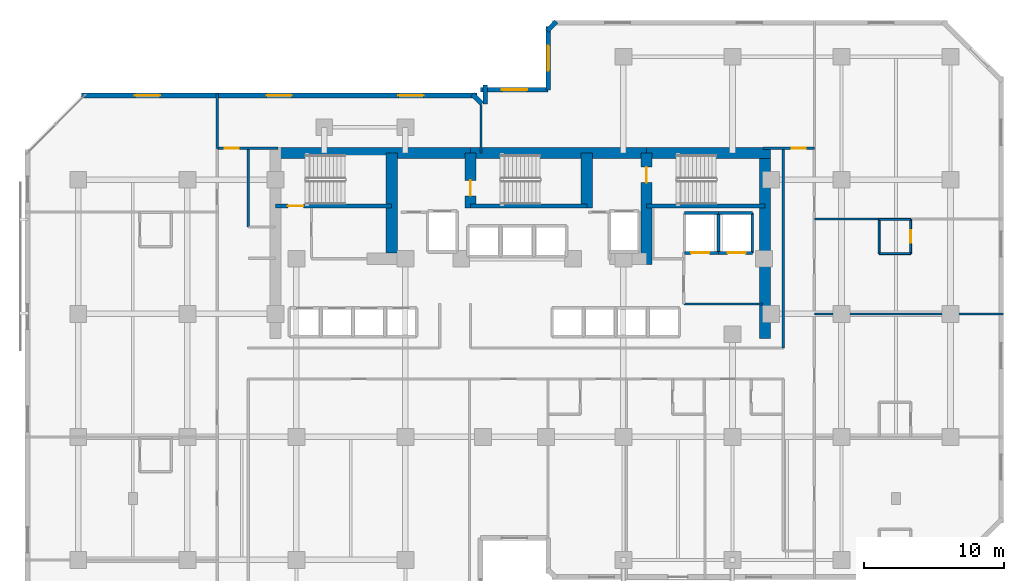
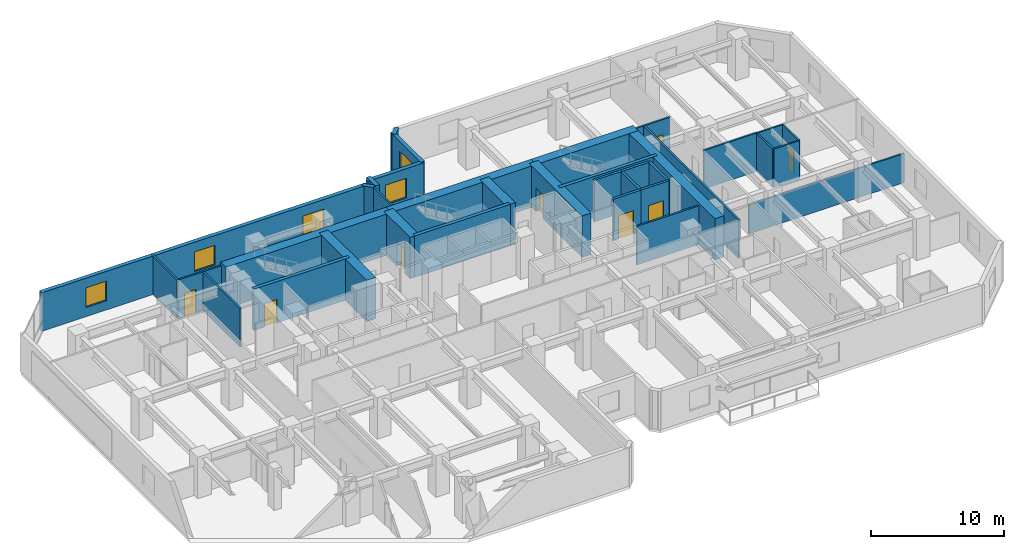
# One storey, part 9 of 12: 36 walls, 8 doors, 5 windows, 13 openings.
"""IFC4 building model written with IfcOpenShell, lengths in metres."""

from ifc_helpers import new_model, si_unit, direction, frame, frame_2d, origin, place, context, subcontext, project, spatial, rectangle, extrude, material, layer, layer_set, type_object, element, fill, save


model = new_model("IFC4")

# Units and contexts
model_context = context("Model", 3, precision=1e-05, world=origin(), true_north=direction((0.0, 1.0)))
body_context = subcontext(model_context, "Body", "Model", "MODEL_VIEW")
ifc_project = project(units=[si_unit("LENGTHUNIT", "METRE"), si_unit("AREAUNIT", "SQUARE_METRE"), si_unit("VOLUMEUNIT", "CUBIC_METRE"), si_unit("PLANEANGLEUNIT", "RADIAN"), si_unit("MASSUNIT", "GRAM", prefix="KILO")], contexts=[model_context])

# Site, building, storey
site_placement = place(None, origin())
site = spatial("IfcSite", under=ifc_project, at=site_placement, CompositionType="ELEMENT")
building_placement = place(site_placement, origin())
building = spatial("IfcBuilding", under=site, at=building_placement, Name="Kestravale Grand Hotel", CompositionType="ELEMENT")
storey_placement = place(building_placement, frame((0.0, 0.0, 110.800048828125)))
storey = spatial("IfcBuildingStorey", under=building, at=storey_placement, Name="L27", CompositionType="ELEMENT", Elevation=110.800048828125)

# Walls
ifc_material_1 = material(Name="Concrete f'c 60 MPa", Category="concrete")
ifc_layer_1 = layer(ifc_material_1, 0.800048828125)
ifc_layer_set_1 = layer_set([ifc_layer_1], Name="EW-CORE-800")
wall_type_1 = type_object("IfcWallType", Name="EW-CORE-800", PredefinedType="SHEAR", material=ifc_layer_set_1)
wall_1_placement = place(storey_placement, frame((21.5, 40.320068359375, 0.0), z_axis=(0.0, 0.0, 1.0), x_axis=(1.0, 0.0, 0.0)))
element("IfcWall", 1, at=wall_1_placement, inside=storey, type_object=wall_type_1, Name="L27 core shear wall N1", PredefinedType="SHEAR", context=body_context, shape_type="SweptSolid", body=[
    extrude(rectangle(XDim=14.35009765625, YDim=0.800048828125, at=frame_2d((7.175048828125, 0.0))), origin(), (0.0, 0.0, 1.0), 3.800048828125),
])
wall_2_placement = place(storey_placement, frame((35.85009765625, 40.320068359375, 0.0), z_axis=(0.0, 0.0, 1.0), x_axis=(1.0, 0.0, 0.0)))
element("IfcWall", 2, at=wall_2_placement, inside=storey, type_object=wall_type_1, Name="L27 core shear wall N2", PredefinedType="SHEAR", context=body_context, shape_type="SweptSolid", body=[
    extrude(rectangle(XDim=12.599853515625, YDim=0.800048828125, at=frame_2d((6.2998046875, 0.0))), origin(), (0.0, 0.0, 1.0), 3.800048828125),
])
wall_3_placement = place(storey_placement, frame((48.449951171875, 40.320068359375, 0.0), z_axis=(0.0, 0.0, 1.0), x_axis=(1.0, 0.0, 0.0)))
element("IfcWall", 3, at=wall_3_placement, inside=storey, type_object=wall_type_1, Name="L27 core shear wall N3", PredefinedType="SHEAR", context=body_context, shape_type="SweptSolid", body=[
    extrude(rectangle(XDim=8.8701171875, YDim=0.800048828125, at=frame_2d((4.43505859375, 0.0))), origin(), (0.0, 0.0, 1.0), 3.800048828125),
])
wall_4_placement = place(storey_placement, frame((56.919921875, 27.050048828125, 0.0), z_axis=(0.0, 0.0, 1.0), x_axis=(0.0, 1.0, 0.0)))
element("IfcWall", 4, at=wall_4_placement, inside=storey, type_object=wall_type_1, Name="L27 core shear wall E1", PredefinedType="SHEAR", context=body_context, shape_type="SweptSolid", body=[
    extrude(rectangle(XDim=13.669921875, YDim=0.800048828125, at=frame_2d((6.8349609375, 0.0))), origin(), (0.0, 0.0, 1.0), 3.800048828125),
])
wall_5_placement = place(storey_placement, frame((30.219970703125, 33.14990234375, 0.0), z_axis=(0.0, 0.0, 1.0), x_axis=(0.0, 1.0, 0.0)))
element("IfcWall", 5, at=wall_5_placement, inside=storey, type_object=wall_type_1, Name="L27 core shear wall X1", PredefinedType="SHEAR", context=body_context, shape_type="SweptSolid", body=[
    extrude(rectangle(XDim=7.170166015625, YDim=0.800048828125, at=frame_2d((3.5849609375, 0.0))), origin(), (0.0, 0.0, 1.0), 3.800048828125),
])

# Wall, opening, door
wall_6_placement = place(storey_placement, frame((35.85009765625, 36.3701171875, 0.0), z_axis=(0.0, 0.0, 1.0), x_axis=(0.0, 1.0, 0.0)))
wall_6 = element("IfcWall", 6, at=wall_6_placement, inside=storey, type_object=wall_type_1, Name="L27 core shear wall X2", PredefinedType="SHEAR", context=body_context, shape_type="SweptSolid", body=[
    extrude(rectangle(XDim=3.949951171875, YDim=0.800048828125, at=frame_2d((1.97509765625, 0.0))), origin(), (0.0, 0.0, 1.0), 3.800048828125),
])
opening_1_placement = place(wall_6_placement, frame((0.8798828125, 0.0, 0.0)))
opening_1 = element("IfcOpeningElement", 7, at=opening_1_placement, cuts=wall_6, Name="Opening D-ST-1100", PredefinedType="OPENING", context=body_context, shape_type="SweptSolid", body=[
    extrude(rectangle(XDim=1.10009765625, YDim=2.14990234375, at=frame_2d((0.550048828125, 1.074951171875))), frame((0.0, 0.409912109375, 0.0), z_axis=(0.0, -1.0, 0.0), x_axis=(1.0, 0.0, 0.0)), (0.0, 0.0, 1.0), 0.820068359375),
])
ifc_material_2 = material(Name="Galvanised 90-minute fire-rated steel stair door", Category="steel")
door_type_1 = type_object("IfcDoorType", Name="D-ST-1100", OperationType="NOTDEFINED", PredefinedType="DOOR", material=ifc_material_2)
door_1_placement = place(opening_1_placement, origin())
door_1 = element("IfcDoor", 8, at=door_1_placement, inside=storey, type_object=door_type_1, Name="L27 Stair ST-2 FSAE fire door", OperationType="SINGLE_SWING_RIGHT", OverallHeight=2.14990234375, OverallWidth=1.10009765625, PredefinedType="DOOR", context=body_context, shape_type="SweptSolid", body=[
    extrude(rectangle(XDim=1.10009765625, YDim=2.14990234375, at=frame_2d((0.550048828125, 1.074951171875))), frame((0.0, 0.02490234375, 0.0), z_axis=(0.0, -1.0, 0.0), x_axis=(1.0, 0.0, 0.0)), (0.0, 0.0, 1.0), 0.050048828125),
])
fill(opening_1, door_1)

# Wall
wall_7_placement = place(storey_placement, frame((44.179931640625, 36.3701171875, 0.0), z_axis=(0.0, 0.0, 1.0), x_axis=(0.0, 1.0, 0.0)))
element("IfcWall", 9, at=wall_7_placement, inside=storey, type_object=wall_type_1, Name="L27 core shear wall X3", PredefinedType="SHEAR", context=body_context, shape_type="SweptSolid", body=[
    extrude(rectangle(XDim=3.949951171875, YDim=0.800048828125, at=frame_2d((1.97509765625, 0.0))), origin(), (0.0, 0.0, 1.0), 3.800048828125),
])

# Wall, opening, door
wall_8_placement = place(storey_placement, frame((48.449951171875, 32.35009765625, 0.0), z_axis=(0.0, 0.0, 1.0), x_axis=(0.0, 1.0, 0.0)))
wall_8 = element("IfcWall", 10, at=wall_8_placement, inside=storey, type_object=wall_type_1, Name="L27 core shear wall X4", PredefinedType="SHEAR", context=body_context, shape_type="SweptSolid", body=[
    extrude(rectangle(XDim=7.969970703125, YDim=0.800048828125, at=frame_2d((3.98486328125, 0.0))), origin(), (0.0, 0.0, 1.0), 3.800048828125),
])
opening_2_placement = place(wall_8_placement, frame((5.85009765625, 0.0, 0.0)))
opening_2 = element("IfcOpeningElement", 11, at=opening_2_placement, cuts=wall_8, Name="Opening D-ST-1100", PredefinedType="OPENING", context=body_context, shape_type="SweptSolid", body=[
    extrude(rectangle(XDim=1.10009765625, YDim=2.14990234375, at=frame_2d((0.550048828125, 1.074951171875))), frame((0.0, 0.409912109375, 0.0), z_axis=(0.0, -1.0, 0.0), x_axis=(1.0, 0.0, 0.0)), (0.0, 0.0, 1.0), 0.820068359375),
])
door_2_placement = place(opening_2_placement, origin())
door_2 = element("IfcDoor", 12, at=door_2_placement, inside=storey, type_object=door_type_1, Name="L27 Stair ST-3 FSAE fire door", OperationType="SINGLE_SWING_RIGHT", OverallHeight=2.14990234375, OverallWidth=1.10009765625, PredefinedType="DOOR", context=body_context, shape_type="SweptSolid", body=[
    extrude(rectangle(XDim=1.10009765625, YDim=2.14990234375, at=frame_2d((0.550048828125, 1.074951171875))), frame((0.0, 0.02490234375, 0.0), z_axis=(0.0, -1.0, 0.0), x_axis=(1.0, 0.0, 0.0)), (0.0, 0.0, 1.0), 0.050048828125),
])
fill(opening_2, door_2)

# Wall
ifc_material_3 = material(Name="Precast concrete f'c 45 MPa", Category="concrete")
ifc_layer_2 = layer(ifc_material_3, 0.340087890625)
ifc_layer_set_2 = layer_set([ifc_layer_2], Name="EW-PREC-340")
wall_type_2 = type_object("IfcWallType", Name="EW-PREC-340", PredefinedType="SOLIDWALL", material=ifc_layer_set_2)
wall_9_placement = place(storey_placement, frame((41.99853515625, 49.7080078125, 0.0), z_axis=(0.0, 0.0, 1.0), x_axis=(-0.707238225886, -0.706975312048, 0.0)))
element("IfcWall", 13, at=wall_9_placement, inside=storey, type_object=wall_type_2, Name="L27 fluted precast facade wall 12", PredefinedType="SOLIDWALL", context=body_context, shape_type="SweptSolid", body=[
    extrude(rectangle(XDim=0.9287109375, YDim=0.340087890625, at=frame_2d((0.46435546875, 0.0))), origin(), (0.0, 0.0, 1.0), 3.5400390625),
])

# Wall, opening, window
wall_10_placement = place(storey_placement, frame((41.419921875, 49.3701171875, 0.0), z_axis=(0.0, 0.0, 1.0), x_axis=(0.0, -1.0, 0.0)))
wall_10 = element("IfcWall", 14, at=wall_10_placement, inside=storey, type_object=wall_type_2, Name="L27 fluted precast facade wall 13", PredefinedType="SOLIDWALL", context=body_context, shape_type="SweptSolid", body=[
    extrude(rectangle(XDim=4.5400390625, YDim=0.340087890625, at=frame_2d((2.27001953125, 0.0))), origin(), (0.0, 0.0, 1.0), 3.5400390625),
])
opening_3_placement = place(wall_10_placement, frame((1.3701171875, 0.0, 0.85009765625)))
opening_3 = element("IfcOpeningElement", 15, at=opening_3_placement, cuts=wall_10, Name="Opening W-GUEST-1800", PredefinedType="OPENING", context=body_context, shape_type="SweptSolid", body=[
    extrude(rectangle(XDim=1.800048828125, YDim=1.800048828125, at=frame_2d((0.89990234375, 0.89990234375))), frame((0.0, 0.179931640625, 0.0), z_axis=(0.0, -1.0, 0.0), x_axis=(1.0, 0.0, 0.0)), (0.0, 0.0, 1.0), 0.360107421875),
])
ifc_material_4 = material(Name="Insulated low-E double glazing in aluminium frame", Category="aluminium")
window_type = type_object("IfcWindowType", Name="W-GUEST-1800", PartitioningType="DOUBLE_PANEL_VERTICAL", PredefinedType="WINDOW", material=ifc_material_4)
window_1_placement = place(opening_3_placement, origin())
window_1 = element("IfcWindow", 16, at=window_1_placement, inside=storey, type_object=window_type, Name="L27 exterior window 13.1", OverallHeight=1.800048828125, OverallWidth=1.800048828125, PartitioningType="SINGLE_PANEL", PredefinedType="WINDOW", context=body_context, shape_type="SweptSolid", body=[
    extrude(rectangle(XDim=1.800048828125, YDim=1.800048828125, at=frame_2d((0.89990234375, 0.89990234375))), frame((0.0, 0.030029296875, 0.0), z_axis=(0.0, -1.0, 0.0), x_axis=(1.0, 0.0, 0.0)), (0.0, 0.0, 1.0), 0.06005859375),
])
fill(opening_3, window_1)

wall_11_placement = place(storey_placement, frame((41.419921875, 44.830078125, 0.0), z_axis=(0.0, 0.0, 1.0), x_axis=(-1.0, 0.0, 0.0)))
wall_11 = element("IfcWall", 17, at=wall_11_placement, inside=storey, type_object=wall_type_2, Name="L27 fluted precast facade wall 14", PredefinedType="SOLIDWALL", context=body_context, shape_type="SweptSolid", body=[
    extrude(rectangle(XDim=4.83984375, YDim=0.340087890625, at=frame_2d((2.419921875, 0.0))), origin(), (0.0, 0.0, 1.0), 3.5400390625),
])
opening_4_placement = place(wall_11_placement, frame((1.52001953125, 0.0, 0.85009765625)))
opening_4 = element("IfcOpeningElement", 18, at=opening_4_placement, cuts=wall_11, Name="Opening W-GUEST-1800", PredefinedType="OPENING", context=body_context, shape_type="SweptSolid", body=[
    extrude(rectangle(XDim=1.800048828125, YDim=1.800048828125, at=frame_2d((0.89990234375, 0.89990234375))), frame((0.0, 0.179931640625, 0.0), z_axis=(0.0, -1.0, 0.0), x_axis=(1.0, 0.0, 0.0)), (0.0, 0.0, 1.0), 0.360107421875),
])
window_2_placement = place(opening_4_placement, origin())
window_2 = element("IfcWindow", 19, at=window_2_placement, inside=storey, type_object=window_type, Name="L27 exterior window 14.1", OverallHeight=1.800048828125, OverallWidth=1.800048828125, PartitioningType="SINGLE_PANEL", PredefinedType="WINDOW", context=body_context, shape_type="SweptSolid", body=[
    extrude(rectangle(XDim=1.800048828125, YDim=1.800048828125, at=frame_2d((0.89990234375, 0.89990234375))), frame((0.0, 0.030029296875, 0.0), z_axis=(0.0, -1.0, 0.0), x_axis=(1.0, 0.0, 0.0)), (0.0, 0.0, 1.0), 0.06005859375),
])
fill(opening_4, window_2)

# Walls
wall_12_placement = place(storey_placement, frame((36.919921875, 45.169921875, 0.0), z_axis=(0.0, 0.0, 1.0), x_axis=(0.0, -1.0, 0.0)))
element("IfcWall", 20, at=wall_12_placement, inside=storey, type_object=wall_type_2, Name="L27 fluted precast facade wall 15", PredefinedType="SOLIDWALL", context=body_context, shape_type="SweptSolid", body=[
    extrude(rectangle(XDim=1.33984375, YDim=0.340087890625, at=frame_2d((0.669921875, 0.0))), origin(), (0.0, 0.0, 1.0), 3.5400390625),
])
wall_13_placement = place(storey_placement, frame((36.658203125, 43.8515625, 0.0), z_axis=(0.0, 0.0, 1.0), x_axis=(-0.707238225886, 0.706975312048, 0.0)))
element("IfcWall", 21, at=wall_13_placement, inside=storey, type_object=wall_type_2, Name="L27 fluted precast facade wall 16", PredefinedType="SOLIDWALL", context=body_context, shape_type="SweptSolid", body=[
    extrude(rectangle(XDim=0.9287109375, YDim=0.340087890625, at=frame_2d((0.46435546875, 0.0))), origin(), (0.0, 0.0, 1.0), 3.5400390625),
])

# Wall, openings, windows
wall_14_placement = place(storey_placement, frame((36.320068359375, 44.429931640625, 0.0), z_axis=(0.0, 0.0, 1.0), x_axis=(-1.0, 0.0, 0.0)))
wall_14 = element("IfcWall", 22, at=wall_14_placement, inside=storey, type_object=wall_type_2, Name="L27 fluted precast facade wall 17", PredefinedType="SOLIDWALL", context=body_context, shape_type="SweptSolid", body=[
    extrude(rectangle(XDim=28.2900390625, YDim=0.340087890625, at=frame_2d((14.14501953125, 0.0))), origin(), (0.0, 0.0, 1.0), 3.5400390625),
])
opening_5_placement = place(wall_14_placement, frame((3.81494140625, 0.0, 0.85009765625)))
opening_5 = element("IfcOpeningElement", 23, at=opening_5_placement, cuts=wall_14, Name="Opening W-GUEST-1800", PredefinedType="OPENING", context=body_context, shape_type="SweptSolid", body=[
    extrude(rectangle(XDim=1.800048828125, YDim=1.800048828125, at=frame_2d((0.89990234375, 0.89990234375))), frame((0.0, 0.179931640625, 0.0), z_axis=(0.0, -1.0, 0.0), x_axis=(1.0, 0.0, 0.0)), (0.0, 0.0, 1.0), 0.360107421875),
])
opening_6_placement = place(wall_14_placement, frame((13.2451171875, 0.0, 0.85009765625)))
opening_6 = element("IfcOpeningElement", 24, at=opening_6_placement, cuts=wall_14, Name="Opening W-GUEST-1800", PredefinedType="OPENING", context=body_context, shape_type="SweptSolid", body=[
    extrude(rectangle(XDim=1.800048828125, YDim=1.800048828125, at=frame_2d((0.89990234375, 0.89990234375))), frame((0.0, 0.179931640625, 0.0), z_axis=(0.0, -1.0, 0.0), x_axis=(1.0, 0.0, 0.0)), (0.0, 0.0, 1.0), 0.360107421875),
])
opening_7_placement = place(wall_14_placement, frame((22.675048828125, 0.0, 0.85009765625)))
opening_7 = element("IfcOpeningElement", 25, at=opening_7_placement, cuts=wall_14, Name="Opening W-GUEST-1800", PredefinedType="OPENING", context=body_context, shape_type="SweptSolid", body=[
    extrude(rectangle(XDim=1.800048828125, YDim=1.800048828125, at=frame_2d((0.89990234375, 0.89990234375))), frame((0.0, 0.179931640625, 0.0), z_axis=(0.0, -1.0, 0.0), x_axis=(1.0, 0.0, 0.0)), (0.0, 0.0, 1.0), 0.360107421875),
])
window_3_placement = place(opening_5_placement, origin())
window_3 = element("IfcWindow", 26, at=window_3_placement, inside=storey, type_object=window_type, Name="L27 exterior window 17.1", OverallHeight=1.800048828125, OverallWidth=1.800048828125, PartitioningType="SINGLE_PANEL", PredefinedType="WINDOW", context=body_context, shape_type="SweptSolid", body=[
    extrude(rectangle(XDim=1.800048828125, YDim=1.800048828125, at=frame_2d((0.89990234375, 0.89990234375))), frame((0.0, 0.030029296875, 0.0), z_axis=(0.0, -1.0, 0.0), x_axis=(1.0, 0.0, 0.0)), (0.0, 0.0, 1.0), 0.06005859375),
])
fill(opening_5, window_3)
window_4_placement = place(opening_6_placement, origin())
window_4 = element("IfcWindow", 27, at=window_4_placement, inside=storey, type_object=window_type, Name="L27 exterior window 17.2", OverallHeight=1.800048828125, OverallWidth=1.800048828125, PartitioningType="SINGLE_PANEL", PredefinedType="WINDOW", context=body_context, shape_type="SweptSolid", body=[
    extrude(rectangle(XDim=1.800048828125, YDim=1.800048828125, at=frame_2d((0.89990234375, 0.89990234375))), frame((0.0, 0.030029296875, 0.0), z_axis=(0.0, -1.0, 0.0), x_axis=(1.0, 0.0, 0.0)), (0.0, 0.0, 1.0), 0.06005859375),
])
fill(opening_6, window_4)
window_5_placement = place(opening_7_placement, origin())
window_5 = element("IfcWindow", 28, at=window_5_placement, inside=storey, type_object=window_type, Name="L27 exterior window 17.3", OverallHeight=1.800048828125, OverallWidth=1.800048828125, PartitioningType="SINGLE_PANEL", PredefinedType="WINDOW", context=body_context, shape_type="SweptSolid", body=[
    extrude(rectangle(XDim=1.800048828125, YDim=1.800048828125, at=frame_2d((0.89990234375, 0.89990234375))), frame((0.0, 0.030029296875, 0.0), z_axis=(0.0, -1.0, 0.0), x_axis=(1.0, 0.0, 0.0)), (0.0, 0.0, 1.0), 0.06005859375),
])
fill(opening_7, window_5)

# Wall, opening, door
ifc_material_5 = material(Name="Concrete f'c 45 MPa", Category="concrete")
ifc_layer_3 = layer(ifc_material_5, 0.300048828125)
ifc_layer_set_3 = layer_set([ifc_layer_3], Name="EW-STAIR-300")
wall_type_3 = type_object("IfcWallType", Name="EW-STAIR-300", PredefinedType="SHEAR", material=ifc_layer_set_3)
wall_15_placement = place(storey_placement, frame((21.89990234375, 36.52001953125, 0.0), z_axis=(0.0, 0.0, 1.0), x_axis=(1.0, 0.0, 0.0)))
wall_15 = element("IfcWall", 29, at=wall_15_placement, inside=storey, type_object=wall_type_3, Name="L27 stair enclosure shear wall SST1", PredefinedType="SHEAR", context=body_context, shape_type="SweptSolid", body=[
    extrude(rectangle(XDim=8.320068359375, YDim=0.300048828125, at=frame_2d((4.16015625, 0.0))), origin(), (0.0, 0.0, 1.0), 3.800048828125),
])
opening_8_placement = place(wall_15_placement, frame((0.89990234375, 0.0, 0.0)))
opening_8 = element("IfcOpeningElement", 30, at=opening_8_placement, cuts=wall_15, Name="Opening D-ST-1100", PredefinedType="OPENING", context=body_context, shape_type="SweptSolid", body=[
    extrude(rectangle(XDim=1.10009765625, YDim=2.14990234375, at=frame_2d((0.550048828125, 1.074951171875))), frame((0.0, 0.159912109375, 0.0), z_axis=(0.0, -1.0, 0.0), x_axis=(1.0, 0.0, 0.0)), (0.0, 0.0, 1.0), 0.320068359375),
])
door_3_placement = place(opening_8_placement, origin())
door_3 = element("IfcDoor", 31, at=door_3_placement, inside=storey, type_object=door_type_1, Name="L27 Stair ST-1 fire door", OperationType="SINGLE_SWING_RIGHT", OverallHeight=2.14990234375, OverallWidth=1.10009765625, PredefinedType="DOOR", context=body_context, shape_type="SweptSolid", body=[
    extrude(rectangle(XDim=1.10009765625, YDim=2.14990234375, at=frame_2d((0.550048828125, 1.074951171875))), frame((0.0, 0.02490234375, 0.0), z_axis=(0.0, -1.0, 0.0), x_axis=(1.0, 0.0, 0.0)), (0.0, 0.0, 1.0), 0.050048828125),
])
fill(opening_8, door_3)

# Walls
wall_16_placement = place(storey_placement, frame((35.85009765625, 36.52001953125, 0.0), z_axis=(0.0, 0.0, 1.0), x_axis=(1.0, 0.0, 0.0)))
element("IfcWall", 32, at=wall_16_placement, inside=storey, type_object=wall_type_3, Name="L27 stair enclosure shear wall SST2", PredefinedType="SHEAR", context=body_context, shape_type="SweptSolid", body=[
    extrude(rectangle(XDim=8.329833984375, YDim=0.300048828125, at=frame_2d((4.1650390625, 0.0))), origin(), (0.0, 0.0, 1.0), 3.800048828125),
])
wall_17_placement = place(storey_placement, frame((48.449951171875, 36.52001953125, 0.0), z_axis=(0.0, 0.0, 1.0), x_axis=(1.0, 0.0, 0.0)))
element("IfcWall", 33, at=wall_17_placement, inside=storey, type_object=wall_type_3, Name="L27 stair enclosure shear wall SST3", PredefinedType="SHEAR", context=body_context, shape_type="SweptSolid", body=[
    extrude(rectangle(XDim=8.469970703125, YDim=0.300048828125, at=frame_2d((4.23486328125, 0.0))), origin(), (0.0, 0.0, 1.0), 3.800048828125),
])
ifc_material_6 = material(Name="Acoustic fire-rated gypsum board partition", Category="other")
ifc_layer_4 = layer(ifc_material_6, 0.159912109375)
ifc_layer_set_4 = layer_set([ifc_layer_4], Name="IW-CORR-160")
wall_type_4 = type_object("IfcWallType", Name="IW-CORR-160", PredefinedType="PARTITIONING", material=ifc_layer_set_4)
for number, where, z_axis, x_axis, name in (
    (34, (51.1201171875, 29.5, 0.0), (0.0, 0.0, 1.0), (1.0, 0.0, 0.0), "L27 service lift lobby wall"),
    (35, (19.9599609375, 35.02001953125, 0.0), (0.0, 0.0, 1.0), (0.0, 1.0, 0.0), "W-L27-SW-EN"),
):
    element("IfcWall", number, at=place(storey_placement, frame(where, z_axis=z_axis, x_axis=x_axis)), inside=storey, type_object=wall_type_4, Name=name, PredefinedType="PARTITIONING", context=body_context, shape_type="SweptSolid", body=[
        extrude(rectangle(XDim=5.6298828125, YDim=0.159912109375, at=frame_2d((2.81494140625, 0.0))), origin(), (0.0, 0.0, 1.0), 3.5400390625),
    ])
wall_18_placement = place(storey_placement, frame((58.239990234375, 26.360107421875, 0.0), z_axis=(0.0, 0.0, 1.0), x_axis=(0.0, 1.0, 0.0)))
element("IfcWall", 36, at=wall_18_placement, inside=storey, type_object=wall_type_4, Name="W-L27-SE-WU", PredefinedType="PARTITIONING", context=body_context, shape_type="SweptSolid", body=[
    extrude(rectangle(XDim=14.289794921875, YDim=0.159912109375, at=frame_2d((7.14501953125, 0.0))), origin(), (0.0, 0.0, 1.0), 3.5400390625),
])
ifc_material_7 = material(Name="Moisture-resistant tile-backer plumbing chase wall", Category="other")
ifc_layer_5 = layer(ifc_material_7, 0.139892578125)
ifc_layer_set_5 = layer_set([ifc_layer_5], Name="IW-PLB-140")
wall_type_5 = type_object("IfcWallType", Name="IW-PLB-140", PredefinedType="PLUMBINGWALL", material=ifc_layer_set_5)
wall_19_placement = place(storey_placement, frame((65.10009765625, 33.110107421875, 0.0), z_axis=(0.0, 0.0, 1.0), x_axis=(0.0, 1.0, 0.0)))
element("IfcWall", 37, at=wall_19_placement, inside=storey, type_object=wall_type_5, Name="W-L27-U09-BW", PredefinedType="PLUMBINGWALL", context=body_context, shape_type="SweptSolid", body=[
    extrude(rectangle(XDim=2.449951171875, YDim=0.139892578125, at=frame_2d((1.22509765625, 0.0))), origin(), (0.0, 0.0, 1.0), 3.5400390625),
])

# Wall, opening, door
wall_20_placement = place(storey_placement, frame((67.35009765625, 33.110107421875, 0.0), z_axis=(0.0, 0.0, 1.0), x_axis=(0.0, 1.0, 0.0)))
wall_20 = element("IfcWall", 38, at=wall_20_placement, inside=storey, type_object=wall_type_5, Name="W-L27-U09-BE", PredefinedType="PLUMBINGWALL", context=body_context, shape_type="SweptSolid", body=[
    extrude(rectangle(XDim=2.449951171875, YDim=0.139892578125, at=frame_2d((1.22509765625, 0.0))), origin(), (0.0, 0.0, 1.0), 3.5400390625),
])
opening_9_placement = place(wall_20_placement, frame((0.784912109375, 0.0, 0.0)))
opening_9 = element("IfcOpeningElement", 39, at=opening_9_placement, cuts=wall_20, Name="Opening D-BATH-880", PredefinedType="OPENING", context=body_context, shape_type="SweptSolid", body=[
    extrude(rectangle(XDim=0.8798828125, YDim=2.050048828125, at=frame_2d((0.43994140625, 1.02490234375))), frame((0.0, 0.079833984375, 0.0), z_axis=(0.0, -1.0, 0.0), x_axis=(1.0, 0.0, 0.0)), (0.0, 0.0, 1.0), 0.159912109375),
])
ifc_material_8 = material(Name="Moisture-sealed walnut en-suite bathroom door", Category="wood")
door_type_2 = type_object("IfcDoorType", Name="D-BATH-880", OperationType="NOTDEFINED", PredefinedType="DOOR", material=ifc_material_8)
door_4_placement = place(opening_9_placement, origin())
door_4 = element("IfcDoor", 40, at=door_4_placement, inside=storey, type_object=door_type_2, Name="D-L27-U09-BATH", OperationType="SINGLE_SWING_LEFT", OverallHeight=2.050048828125, OverallWidth=0.8798828125, PredefinedType="DOOR", context=body_context, shape_type="SweptSolid", body=[
    extrude(rectangle(XDim=0.8798828125, YDim=2.050048828125, at=frame_2d((0.43994140625, 1.02490234375))), frame((0.0, 0.02490234375, 0.0), z_axis=(0.0, -1.0, 0.0), x_axis=(1.0, 0.0, 0.0)), (0.0, 0.0, 1.0), 0.050048828125),
])
fill(opening_9, door_4)

# Walls
for number, where, z_axis, x_axis, name in (
    (41, (65.10009765625, 33.110107421875, 0.0), (0.0, 0.0, 1.0), (1.0, 0.0, 0.0), "W-L27-U09-BS"),
    (42, (65.10009765625, 35.56005859375, 0.0), (0.0, 0.0, 1.0), (1.0, 0.0, 0.0), "W-L27-U09-BN"),
):
    element("IfcWall", number, at=place(storey_placement, frame(where, z_axis=z_axis, x_axis=x_axis)), inside=storey, type_object=wall_type_5, Name=name, PredefinedType="PLUMBINGWALL", context=body_context, shape_type="SweptSolid", body=[
        extrude(rectangle(XDim=2.25, YDim=0.139892578125, at=frame_2d((1.125, 0.0))), origin(), (0.0, 0.0, 1.0), 3.5400390625),
    ])
ifc_material_9 = material(Name="Concrete f'c 45 MPa", Category="concrete")
ifc_layer_6 = layer(ifc_material_9, 0.199951171875)
ifc_layer_set_6 = layer_set([ifc_layer_6], Name="IW-SHAFT-200")
wall_type_6 = type_object("IfcWallType", Name="IW-SHAFT-200", PredefinedType="SHEAR", material=ifc_layer_set_6)
for number, where, z_axis, x_axis, name in (
    (43, (53.60009765625, 33.169921875, 0.0), (0.0, 0.0, 1.0), (0.0, 1.0, 0.0), "L27 SL-2 west shaft wall"),
    (44, (56.02001953125, 33.169921875, 0.0), (0.0, 0.0, 1.0), (0.0, 1.0, 0.0), "L27 SL-2 east shaft wall"),
):
    element("IfcWall", number, at=place(storey_placement, frame(where, z_axis=z_axis, x_axis=x_axis)), inside=storey, type_object=wall_type_6, Name=name, PredefinedType="SHEAR", context=body_context, shape_type="SweptSolid", body=[
        extrude(rectangle(XDim=2.860107421875, YDim=0.199951171875, at=frame_2d((1.43017578125, 0.0))), origin(), (0.0, 0.0, 1.0), 3.800048828125),
    ])
ifc_material_10 = material(Name="Concrete f'c 45 MPa", Category="concrete")
ifc_layer_7 = layer(ifc_material_10, 0.219970703125)
ifc_layer_set_7 = layer_set([ifc_layer_7], Name="IW-SHAFT-220")
wall_type_7 = type_object("IfcWallType", Name="IW-SHAFT-220", PredefinedType="SHEAR", material=ifc_layer_set_7)
wall_21_placement = place(storey_placement, frame((51.179931640625, 36.030029296875, 0.0), z_axis=(0.0, 0.0, 1.0), x_axis=(1.0, 0.0, 0.0)))
element("IfcWall", 45, at=wall_21_placement, inside=storey, type_object=wall_type_7, Name="L27 SL-1 north shaft wall", PredefinedType="SHEAR", context=body_context, shape_type="SweptSolid", body=[
    extrude(rectangle(XDim=2.420166015625, YDim=0.219970703125, at=frame_2d((1.2099609375, 0.0))), origin(), (0.0, 0.0, 1.0), 3.800048828125),
])

# Wall, opening, door
wall_22_placement = place(storey_placement, frame((51.179931640625, 33.169921875, 0.0), z_axis=(0.0, 0.0, 1.0), x_axis=(1.0, 0.0, 0.0)))
wall_22 = element("IfcWall", 46, at=wall_22_placement, inside=storey, type_object=wall_type_7, Name="L27 SL-1 south shaft wall", PredefinedType="SHEAR", context=body_context, shape_type="SweptSolid", body=[
    extrude(rectangle(XDim=2.420166015625, YDim=0.219970703125, at=frame_2d((1.2099609375, 0.0))), origin(), (0.0, 0.0, 1.0), 3.800048828125),
])
opening_10_placement = place(wall_22_placement, frame((0.469970703125, 0.0, 0.0)))
opening_10 = element("IfcOpeningElement", 47, at=opening_10_placement, cuts=wall_22, Name="Opening LD-SVC-1300", PredefinedType="OPENING", context=body_context, shape_type="SweptSolid", body=[
    extrude(rectangle(XDim=1.300048828125, YDim=2.14990234375, at=frame_2d((0.64990234375, 1.074951171875))), frame((0.0, 0.119873046875, 0.0), z_axis=(0.0, -1.0, 0.0), x_axis=(1.0, 0.0, 0.0)), (0.0, 0.0, 1.0), 0.239990234375),
])
ifc_material_11 = material(Name="Heavy-duty service sliding elevator landing door", Category="steel")
door_type_3 = type_object("IfcDoorType", Name="LD-SVC-1300", OperationType="NOTDEFINED", PredefinedType="DOOR", material=ifc_material_11)
door_5_placement = place(opening_10_placement, origin())
door_5 = element("IfcDoor", 48, at=door_5_placement, inside=storey, type_object=door_type_3, Name="L27 SL-1 elevator landing sliding door", OperationType="DOUBLE_DOOR_SLIDING", OverallHeight=2.14990234375, OverallWidth=1.300048828125, PredefinedType="DOOR", context=body_context, shape_type="SweptSolid", body=[
    extrude(rectangle(XDim=1.300048828125, YDim=2.14990234375, at=frame_2d((0.64990234375, 1.074951171875))), frame((0.0, 0.02490234375, 0.0), z_axis=(0.0, -1.0, 0.0), x_axis=(1.0, 0.0, 0.0)), (0.0, 0.0, 1.0), 0.050048828125),
])
fill(opening_10, door_5)

# Wall
wall_23_placement = place(storey_placement, frame((53.60009765625, 36.030029296875, 0.0), z_axis=(0.0, 0.0, 1.0), x_axis=(1.0, 0.0, 0.0)))
element("IfcWall", 49, at=wall_23_placement, inside=storey, type_object=wall_type_7, Name="L27 SL-2 north shaft wall", PredefinedType="SHEAR", context=body_context, shape_type="SweptSolid", body=[
    extrude(rectangle(XDim=2.419921875, YDim=0.219970703125, at=frame_2d((1.2099609375, 0.0))), origin(), (0.0, 0.0, 1.0), 3.800048828125),
])

# Wall, opening, door
wall_24_placement = place(storey_placement, frame((53.60009765625, 33.169921875, 0.0), z_axis=(0.0, 0.0, 1.0), x_axis=(1.0, 0.0, 0.0)))
wall_24 = element("IfcWall", 50, at=wall_24_placement, inside=storey, type_object=wall_type_7, Name="L27 SL-2 south shaft wall", PredefinedType="SHEAR", context=body_context, shape_type="SweptSolid", body=[
    extrude(rectangle(XDim=2.419921875, YDim=0.219970703125, at=frame_2d((1.2099609375, 0.0))), origin(), (0.0, 0.0, 1.0), 3.800048828125),
])
opening_11_placement = place(wall_24_placement, frame((0.64990234375, 0.0, 0.0)))
opening_11 = element("IfcOpeningElement", 51, at=opening_11_placement, cuts=wall_24, Name="Opening LD-SVC-1300", PredefinedType="OPENING", context=body_context, shape_type="SweptSolid", body=[
    extrude(rectangle(XDim=1.300048828125, YDim=2.14990234375, at=frame_2d((0.64990234375, 1.074951171875))), frame((0.0, 0.119873046875, 0.0), z_axis=(0.0, -1.0, 0.0), x_axis=(1.0, 0.0, 0.0)), (0.0, 0.0, 1.0), 0.239990234375),
])
door_6_placement = place(opening_11_placement, origin())
door_6 = element("IfcDoor", 52, at=door_6_placement, inside=storey, type_object=door_type_3, Name="L27 SL-2 elevator landing sliding door", OperationType="DOUBLE_DOOR_SLIDING", OverallHeight=2.14990234375, OverallWidth=1.300048828125, PredefinedType="DOOR", context=body_context, shape_type="SweptSolid", body=[
    extrude(rectangle(XDim=1.300048828125, YDim=2.14990234375, at=frame_2d((0.64990234375, 1.074951171875))), frame((0.0, 0.02490234375, 0.0), z_axis=(0.0, -1.0, 0.0), x_axis=(1.0, 0.0, 0.0)), (0.0, 0.0, 1.0), 0.050048828125),
])
fill(opening_11, door_6)

ifc_material_12 = material(Name="Double-stud STC 52 acoustic demising partition", Category="other")
ifc_layer_8 = layer(ifc_material_12, 0.14990234375)
ifc_layer_set_8 = layer_set([ifc_layer_8], Name="IW-UNIT-150")
wall_type_8 = type_object("IfcWallType", Name="IW-UNIT-150", PredefinedType="PARTITIONING", material=ifc_layer_set_8)
wall_25_placement = place(storey_placement, frame((17.739990234375, 40.64990234375, 0.0), z_axis=(0.0, 0.0, 1.0), x_axis=(1.0, 0.0, 0.0)))
wall_25 = element("IfcWall", 53, at=wall_25_placement, inside=storey, type_object=wall_type_8, Name="W-L27-SW-N", PredefinedType="PARTITIONING", context=body_context, shape_type="SweptSolid", body=[
    extrude(rectangle(XDim=4.360107421875, YDim=0.14990234375, at=frame_2d((2.18017578125, 0.0))), origin(), (0.0, 0.0, 1.0), 3.5400390625),
])
opening_12_placement = place(wall_25_placement, frame((0.550048828125, 0.0, 0.0)))
opening_12 = element("IfcOpeningElement", 54, at=opening_12_placement, cuts=wall_25, Name="Opening D-GUEST-1000", PredefinedType="OPENING", context=body_context, shape_type="SweptSolid", body=[
    extrude(rectangle(XDim=1.0, YDim=2.14990234375, at=frame_2d((0.5, 1.074951171875))), frame((0.0, 0.0849609375, 0.0), z_axis=(0.0, -1.0, 0.0), x_axis=(1.0, 0.0, 0.0)), (0.0, 0.0, 1.0), 0.169921875),
])
ifc_material_13 = material(Name="Accessible walnut veneer hotel entrance fire door", Category="wood")
door_type_4 = type_object("IfcDoorType", Name="D-GUEST-1000", OperationType="NOTDEFINED", PredefinedType="DOOR", material=ifc_material_13)
door_7_placement = place(opening_12_placement, origin())
door_7 = element("IfcDoor", 55, at=door_7_placement, inside=storey, type_object=door_type_4, Name="L27 NW Gallery Door", OperationType="SINGLE_SWING_RIGHT", OverallHeight=2.14990234375, OverallWidth=1.0, PredefinedType="DOOR", context=body_context, shape_type="SweptSolid", body=[
    extrude(rectangle(XDim=1.0, YDim=2.14990234375, at=frame_2d((0.5, 1.074951171875))), frame((0.0, 0.02490234375, 0.0), z_axis=(0.0, -1.0, 0.0), x_axis=(1.0, 0.0, 0.0)), (0.0, 0.0, 1.0), 0.050048828125),
])
fill(opening_12, door_7)

wall_26_placement = place(storey_placement, frame((56.800048828125, 40.64990234375, 0.0), z_axis=(0.0, 0.0, 1.0), x_axis=(1.0, 0.0, 0.0)))
wall_26 = element("IfcWall", 56, at=wall_26_placement, inside=storey, type_object=wall_type_8, Name="W-L27-SE-N", PredefinedType="PARTITIONING", context=body_context, shape_type="SweptSolid", body=[
    extrude(rectangle(XDim=3.659912109375, YDim=0.14990234375, at=frame_2d((1.830078125, 0.0))), origin(), (0.0, 0.0, 1.0), 3.5400390625),
])
opening_13_placement = place(wall_26_placement, frame((2.050048828125, 0.0, 0.0)))
opening_13 = element("IfcOpeningElement", 57, at=opening_13_placement, cuts=wall_26, Name="Opening D-GUEST-1000", PredefinedType="OPENING", context=body_context, shape_type="SweptSolid", body=[
    extrude(rectangle(XDim=1.0, YDim=2.14990234375, at=frame_2d((0.5, 1.074951171875))), frame((0.0, 0.0849609375, 0.0), z_axis=(0.0, -1.0, 0.0), x_axis=(1.0, 0.0, 0.0)), (0.0, 0.0, 1.0), 0.169921875),
])
door_8_placement = place(opening_13_placement, origin())
door_8 = element("IfcDoor", 58, at=door_8_placement, inside=storey, type_object=door_type_4, Name="L27 NE Gallery Door", OperationType="SINGLE_SWING_LEFT", OverallHeight=2.14990234375, OverallWidth=1.0, PredefinedType="DOOR", context=body_context, shape_type="SweptSolid", body=[
    extrude(rectangle(XDim=1.0, YDim=2.14990234375, at=frame_2d((0.5, 1.074951171875))), frame((0.0, 0.02490234375, 0.0), z_axis=(0.0, -1.0, 0.0), x_axis=(1.0, 0.0, 0.0)), (0.0, 0.0, 1.0), 0.050048828125),
])
fill(opening_13, door_8)

# Walls
wall_27_placement = place(storey_placement, frame((17.739990234375, 40.64990234375, 0.0), z_axis=(0.0, 0.0, 1.0), x_axis=(0.0, 1.0, 0.0)))
element("IfcWall", 59, at=wall_27_placement, inside=storey, type_object=wall_type_8, Name="W-L27-NGW-W", PredefinedType="PARTITIONING", context=body_context, shape_type="SweptSolid", body=[
    extrude(rectangle(XDim=3.93017578125, YDim=0.14990234375, at=frame_2d((1.965087890625, 0.0))), origin(), (0.0, 0.0, 1.0), 3.5400390625),
])
wall_28_placement = place(storey_placement, frame((36.60009765625, 40.320068359375, 0.0), z_axis=(0.0, 0.0, 1.0), x_axis=(0.0, 1.0, 0.0)))
element("IfcWall", 60, at=wall_28_placement, inside=storey, type_object=wall_type_8, Name="W-L27-NGM", PredefinedType="PARTITIONING", context=body_context, shape_type="SweptSolid", body=[
    extrude(rectangle(XDim=3.445068359375, YDim=0.14990234375, at=frame_2d((1.72265625, 0.0))), origin(), (0.0, 0.0, 1.0), 3.5400390625),
])
wall_29_placement = place(storey_placement, frame((60.4599609375, 28.800048828125, 0.0), z_axis=(0.0, 0.0, 1.0), x_axis=(1.0, 0.0, 0.0)))
element("IfcWall", 61, at=wall_29_placement, inside=storey, type_object=wall_type_8, Name="W-L27-EW-2", PredefinedType="PARTITIONING", context=body_context, shape_type="SweptSolid", body=[
    extrude(rectangle(XDim=13.52001953125, YDim=0.14990234375, at=frame_2d((6.760009765625, 0.0))), origin(), (0.0, 0.0, 1.0), 2.678955078125),
])
wall_30_placement = place(storey_placement, frame((60.4599609375, 35.60009765625, 0.0), z_axis=(0.0, 0.0, 1.0), x_axis=(1.0, 0.0, 0.0)))
element("IfcWall", 62, at=wall_30_placement, inside=storey, type_object=wall_type_8, Name="W-L27-EW-3", PredefinedType="PARTITIONING", context=body_context, shape_type="SweptSolid", body=[
    extrude(rectangle(XDim=4.64013671875, YDim=0.14990234375, at=frame_2d((2.320068359375, 0.0))), origin(), (0.0, 0.0, 1.0), 3.5400390625),
])

save(model, "model.ifc")
